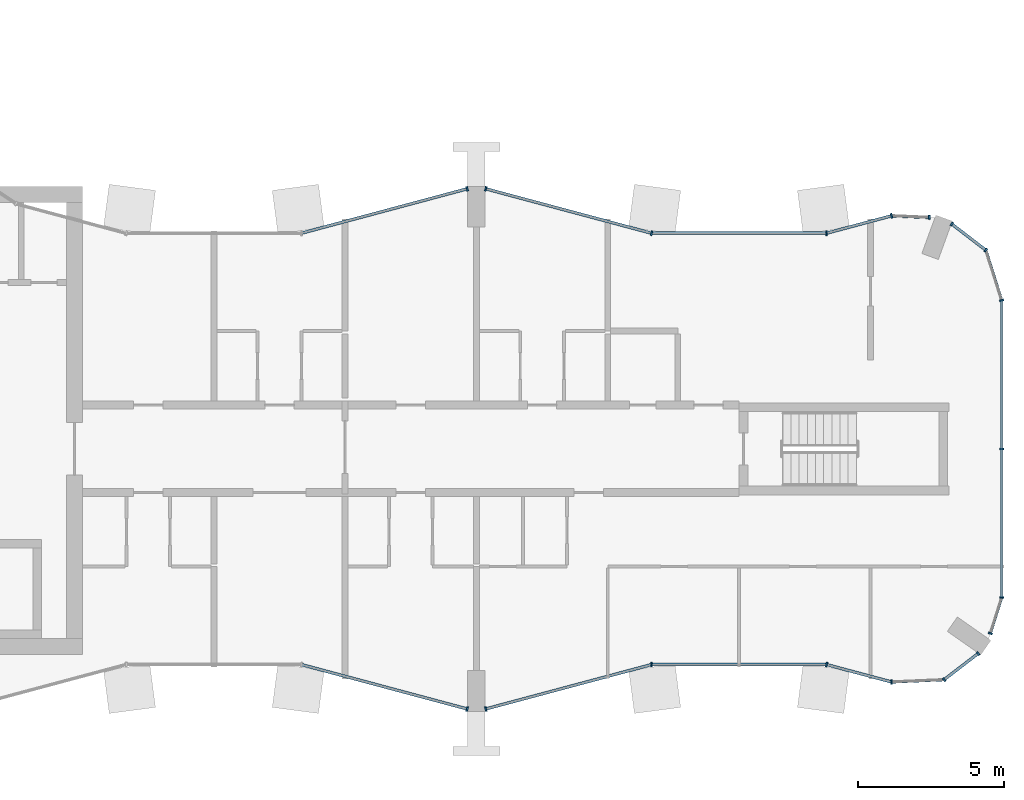
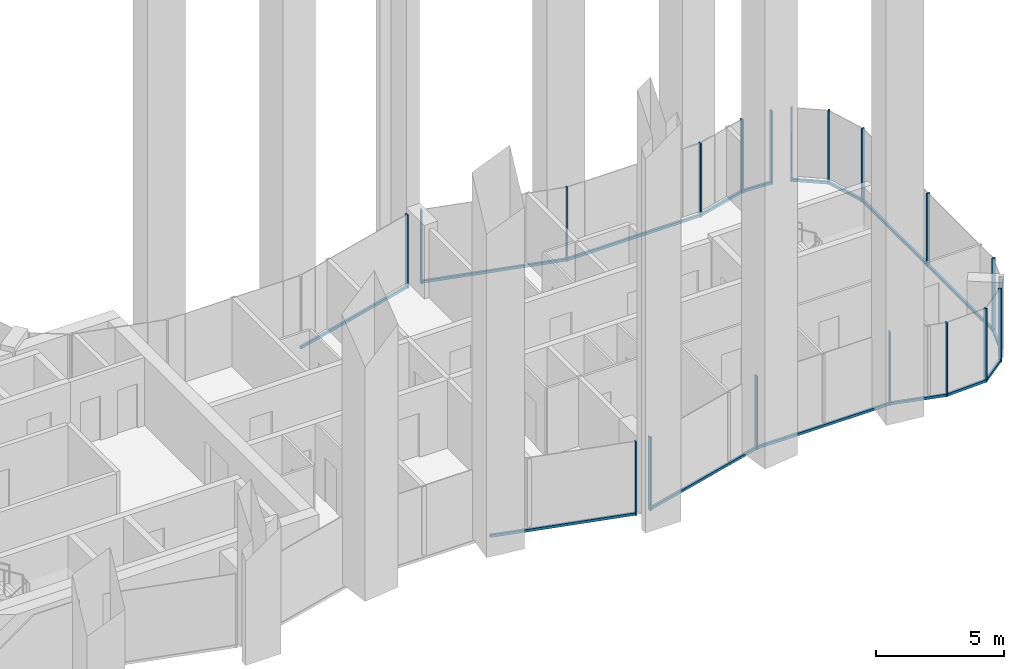
# One storey, part 6 of 17: 34 members, 15 elements without a shape of their own.
"""IFC4 building model written with IfcOpenShell, lengths in metres."""

from ifc_helpers import new_model, si_unit, direction, frame, origin, origin_2d, place, context, subcontext, project, spatial, rectangle, extrude, material, layer, layer_set, material_profile, profile_set, type_object, element, aggregate, save


model = new_model("IFC4")

# Units and contexts
model_context = context("Model", 3, precision=1e-05, world=origin(), true_north=direction((0.0, 1.0)))
body_context = subcontext(model_context, "Body", "Model", "MODEL_VIEW")
ifc_project = project(units=[si_unit("LENGTHUNIT", "METRE"), si_unit("AREAUNIT", "SQUARE_METRE"), si_unit("VOLUMEUNIT", "CUBIC_METRE"), si_unit("PLANEANGLEUNIT", "RADIAN"), si_unit("MASSUNIT", "GRAM", prefix="KILO")], contexts=[model_context])

# Site, building, storey
site_placement = place(None, origin())
site = spatial("IfcSite", under=ifc_project, at=site_placement, CompositionType="ELEMENT")
building_placement = place(site_placement, origin())
building = spatial("IfcBuilding", under=site, at=building_placement, Name="Plateau Cross Towers", CompositionType="ELEMENT")
storey_placement = place(building_placement, frame((0.0, 0.0, 190.89990234375)))
storey = spatial("IfcBuildingStorey", under=building, at=storey_placement, Name="L49", CompositionType="ELEMENT", Elevation=190.89990234375)

# Curtain wall, member
ifc_material_1 = material(Name="Dark low-iron glass", Category="glass")
ifc_layer_1 = layer(ifc_material_1, 0.239990234375)
ifc_layer_set_1 = layer_set([ifc_layer_1], Name="Dark low-iron glass")
curtain_wall_type_1 = type_object("IfcCurtainWallType", Name="Curtain wall flush unitised CW-B", PredefinedType="NOTDEFINED", material=ifc_layer_set_1)
curtain_wall_1_placement = place(storey_placement, origin())
curtain_wall_1 = element("IfcCurtainWall", 1, at=curtain_wall_1_placement, inside=storey, type_object=curtain_wall_type_1, Name="ENV/A/L49/A502_10", PredefinedType="NOTDEFINED")
ifc_material_2 = material(Name="Black anodised aluminium", Category="aluminium")
ifc_material_profile_1 = material_profile(ifc_material_2, rectangle(XDim=0.06005859375, YDim=0.139892578125, at=origin_2d()), Name="MULLION 60x140")
ifc_profile_set_1 = profile_set([ifc_material_profile_1], Name="Black anodised aluminium")
member_type_1 = type_object("IfcMemberType", Name="Mullion 60x140 flush unitised", PredefinedType="MULLION", material=ifc_profile_set_1)
member_1_placement = place(storey_placement, frame((50.223876953125, 1.01123046875, -0.25), z_axis=(0.0, 0.0, 1.0), x_axis=(0.999043701491, 0.043722791671, 0.0)))
member_1 = element("IfcMember", 2, at=member_1_placement, type_object=member_type_1, Name="CW-B mullion 1", PredefinedType="MULLION", context=body_context, shape_type="SweptSolid", body=[
    extrude(rectangle(XDim=0.06005859375, YDim=0.139892578125, at=origin_2d()), origin(), (0.0, 0.0, 1.0), 3.5),
])

# Curtain wall, members
curtain_wall_2_placement = place(storey_placement, origin())
curtain_wall_2 = element("IfcCurtainWall", 3, at=curtain_wall_2_placement, inside=storey, type_object=curtain_wall_type_1, Name="ENV/A/L49/A520_11", PredefinedType="NOTDEFINED")
member_2_placement = place(storey_placement, frame((52.0263671875, 1.090087890625, -0.25), z_axis=(0.0, 0.0, 1.0), x_axis=(0.793315514529, 0.608810721331, 0.0)))
member_2 = element("IfcMember", 4, at=member_2_placement, type_object=member_type_1, Name="CW-B mullion 1", PredefinedType="MULLION", context=body_context, shape_type="SweptSolid", body=[
    extrude(rectangle(XDim=0.06005859375, YDim=0.139892578125, at=origin_2d()), origin(), (0.0, 0.0, 1.0), 3.5),
])
member_3_placement = place(storey_placement, frame((53.193603515625, 1.986083984375, -0.25), z_axis=(0.0, 0.0, 1.0), x_axis=(0.793315514529, 0.608810721331, 0.0)))
member_3 = element("IfcMember", 5, at=member_3_placement, type_object=member_type_1, Name="CW-B mullion 2", PredefinedType="MULLION", context=body_context, shape_type="SweptSolid", body=[
    extrude(rectangle(XDim=0.06005859375, YDim=0.139892578125, at=origin_2d()), origin(), (0.0, 0.0, 1.0), 3.5),
])

# Curtain wall, member
curtain_wall_3_placement = place(storey_placement, origin())
curtain_wall_3 = element("IfcCurtainWall", 6, at=curtain_wall_3_placement, inside=storey, type_object=curtain_wall_type_1, Name="ENV/A/L49/A536_27", PredefinedType="NOTDEFINED")
member_4_placement = place(storey_placement, frame((53.611083984375, 2.67529296875, -0.25), z_axis=(0.0, 0.0, 1.0), x_axis=(0.300686174994, 0.95372313811, 0.0)))
member_4 = element("IfcMember", 7, at=member_4_placement, type_object=member_type_1, Name="CW-B mullion 1", PredefinedType="MULLION", context=body_context, shape_type="SweptSolid", body=[
    extrude(rectangle(XDim=0.06005859375, YDim=0.139892578125, at=origin_2d()), origin(), (0.0, 0.0, 1.0), 3.5),
])

# Curtain wall, members
curtain_wall_4_placement = place(storey_placement, origin())
curtain_wall_4 = element("IfcCurtainWall", 8, at=curtain_wall_4_placement, inside=storey, type_object=curtain_wall_type_1, Name="ENV/A/L49/A540_39", PredefinedType="NOTDEFINED")
member_5_placement = place(storey_placement, frame((54.0, 3.9091796875, -0.25), z_axis=(0.0, 0.0, 1.0), x_axis=(0.0, 1.0, 0.0)))
member_5 = element("IfcMember", 9, at=member_5_placement, type_object=member_type_1, Name="CW-B mullion 1", PredefinedType="MULLION", context=body_context, shape_type="SweptSolid", body=[
    extrude(rectangle(XDim=0.06005859375, YDim=0.139892578125, at=origin_2d()), origin(), (0.0, 0.0, 1.0), 3.5),
])
member_6_placement = place(storey_placement, frame((54.0, 9.0, -0.25), z_axis=(0.0, 0.0, 1.0), x_axis=(0.0, 1.0, 0.0)))
member_6 = element("IfcMember", 10, at=member_6_placement, type_object=member_type_1, Name="CW-B mullion 2", PredefinedType="MULLION", context=body_context, shape_type="SweptSolid", body=[
    extrude(rectangle(XDim=0.06005859375, YDim=0.139892578125, at=origin_2d()), origin(), (0.0, 0.0, 1.0), 3.5),
])

# Curtain wall, member
curtain_wall_5_placement = place(storey_placement, origin())
curtain_wall_5 = element("IfcCurtainWall", 11, at=curtain_wall_5_placement, inside=storey, type_object=curtain_wall_type_1, Name="ENV/A/L49/A540_141", PredefinedType="NOTDEFINED")
member_7_placement = place(storey_placement, frame((54.0, 14.0908203125, -0.25), z_axis=(0.0, 0.0, 1.0), x_axis=(-0.300686174994, 0.95372313811, 0.0)))
member_7 = element("IfcMember", 12, at=member_7_placement, type_object=member_type_1, Name="CW-B mullion 1", PredefinedType="MULLION", context=body_context, shape_type="SweptSolid", body=[
    extrude(rectangle(XDim=0.06005859375, YDim=0.139892578125, at=origin_2d()), origin(), (0.0, 0.0, 1.0), 3.5),
])

# Curtain wall, members
curtain_wall_6_placement = place(storey_placement, origin())
curtain_wall_6 = element("IfcCurtainWall", 13, at=curtain_wall_6_placement, inside=storey, type_object=curtain_wall_type_1, Name="ENV/A/L49/A535_158", PredefinedType="NOTDEFINED")
member_8_placement = place(storey_placement, frame((53.45751953125, 15.8115234375, -0.25), z_axis=(0.0, 0.0, 1.0), x_axis=(-0.793315514529, 0.608810721331, 0.0)))
member_8 = element("IfcMember", 14, at=member_8_placement, type_object=member_type_1, Name="CW-B mullion 1", PredefinedType="MULLION", context=body_context, shape_type="SweptSolid", body=[
    extrude(rectangle(XDim=0.06005859375, YDim=0.139892578125, at=origin_2d()), origin(), (0.0, 0.0, 1.0), 3.5),
])
member_9_placement = place(storey_placement, frame((52.290283203125, 16.707275390625, -0.25), z_axis=(0.0, 0.0, 1.0), x_axis=(-0.793315514529, 0.608810721331, 0.0)))
member_9 = element("IfcMember", 15, at=member_9_placement, type_object=member_type_1, Name="CW-B mullion 2", PredefinedType="MULLION", context=body_context, shape_type="SweptSolid", body=[
    extrude(rectangle(XDim=0.06005859375, YDim=0.139892578125, at=origin_2d()), origin(), (0.0, 0.0, 1.0), 3.5),
])

# Curtain wall, member
curtain_wall_7_placement = place(storey_placement, origin())
curtain_wall_7 = element("IfcCurtainWall", 16, at=curtain_wall_7_placement, inside=storey, type_object=curtain_wall_type_1, Name="ENV/A/L49/A515_169", PredefinedType="NOTDEFINED")
member_10_placement = place(storey_placement, frame((51.516357421875, 16.93212890625, -0.25), z_axis=(0.0, 0.0, 1.0), x_axis=(-0.999043701491, 0.043722791671, 0.0)))
member_10 = element("IfcMember", 17, at=member_10_placement, type_object=member_type_1, Name="CW-B mullion 1", PredefinedType="MULLION", context=body_context, shape_type="SweptSolid", body=[
    extrude(rectangle(XDim=0.06005859375, YDim=0.139892578125, at=origin_2d()), origin(), (0.0, 0.0, 1.0), 3.5),
])

ifc_layer_2 = layer(ifc_material_1, 0.260009765625)
ifc_layer_set_2 = layer_set([ifc_layer_2], Name="Dark low-iron glass")
curtain_wall_type_2 = type_object("IfcCurtainWallType", Name="Curtain wall fluted unitised CW-A", PredefinedType="NOTDEFINED", material=ifc_layer_set_2)
curtain_wall_8_placement = place(storey_placement, origin())
curtain_wall_8 = element("IfcCurtainWall", 18, at=curtain_wall_8_placement, inside=storey, type_object=curtain_wall_type_2, Name="ENV/A/L49/A300_16", PredefinedType="NOTDEFINED")
ifc_material_profile_2 = material_profile(ifc_material_2, rectangle(XDim=0.06005859375, YDim=0.159912109375, at=origin_2d()), Name="MULLION 60x160")
ifc_profile_set_2 = profile_set([ifc_material_profile_2], Name="Black anodised aluminium")
member_type_2 = type_object("IfcMemberType", Name="Mullion 60x160 fluted unitised", PredefinedType="MULLION", material=ifc_profile_set_2)
member_11_placement = place(storey_placement, frame((35.68212890625, 0.085205078125, -0.25), z_axis=(0.0, 0.0, 1.0), x_axis=(0.965957983404, -0.258699003279, 0.0)))
member_11 = element("IfcMember", 19, at=member_11_placement, type_object=member_type_2, Name="CW-A mullion 2", PredefinedType="MULLION", context=body_context, shape_type="SweptSolid", body=[
    extrude(rectangle(XDim=0.06005859375, YDim=0.159912109375, at=origin_2d()), origin(), (0.0, 0.0, 1.0), 3.5),
])

curtain_wall_9_placement = place(storey_placement, origin())
curtain_wall_9 = element("IfcCurtainWall", 20, at=curtain_wall_9_placement, inside=storey, type_object=curtain_wall_type_2, Name="ENV/A/L49/A363_1", PredefinedType="NOTDEFINED")
member_12_placement = place(storey_placement, frame((36.31787109375, 0.085205078125, -0.25), z_axis=(0.0, 0.0, 1.0), x_axis=(0.965957983404, 0.258699003279, 0.0)))
member_12 = element("IfcMember", 21, at=member_12_placement, type_object=member_type_2, Name="CW-A mullion 1", PredefinedType="MULLION", context=body_context, shape_type="SweptSolid", body=[
    extrude(rectangle(XDim=0.06005859375, YDim=0.159912109375, at=origin_2d()), origin(), (0.0, 0.0, 1.0), 3.5),
])

curtain_wall_10_placement = place(storey_placement, origin())
curtain_wall_10 = element("IfcCurtainWall", 22, at=curtain_wall_10_placement, inside=storey, type_object=curtain_wall_type_2, Name="ENV/A/L49/A420_16", PredefinedType="NOTDEFINED")
member_13_placement = place(storey_placement, frame((42.0, 1.60693359375, -0.25), z_axis=(0.0, 0.0, 1.0), x_axis=(1.0, 0.0, 0.0)))
member_13 = element("IfcMember", 23, at=member_13_placement, type_object=member_type_2, Name="CW-A mullion 1", PredefinedType="MULLION", context=body_context, shape_type="SweptSolid", body=[
    extrude(rectangle(XDim=0.06005859375, YDim=0.159912109375, at=origin_2d()), origin(), (0.0, 0.0, 1.0), 3.5),
])

curtain_wall_11_placement = place(storey_placement, origin())
curtain_wall_11 = element("IfcCurtainWall", 24, at=curtain_wall_11_placement, inside=storey, type_object=curtain_wall_type_2, Name="ENV/A/L49/A480_16", PredefinedType="NOTDEFINED")
member_14_placement = place(storey_placement, frame((48.0, 1.60693359375, -0.25), z_axis=(0.0, 0.0, 1.0), x_axis=(0.965957962328, -0.258699081978, 0.0)))
member_14 = element("IfcMember", 25, at=member_14_placement, type_object=member_type_2, Name="CW-A mullion 1", PredefinedType="MULLION", context=body_context, shape_type="SweptSolid", body=[
    extrude(rectangle(XDim=0.06005859375, YDim=0.159912109375, at=origin_2d()), origin(), (0.0, 0.0, 1.0), 3.5),
])

curtain_wall_12_placement = place(storey_placement, origin())
curtain_wall_12 = element("IfcCurtainWall", 26, at=curtain_wall_12_placement, inside=storey, type_object=curtain_wall_type_2, Name="ENV/A/L49/A502_170", PredefinedType="NOTDEFINED")
member_15_placement = place(storey_placement, frame((50.223876953125, 16.98876953125, -0.25), z_axis=(0.0, 0.0, 1.0), x_axis=(-0.965957962328, -0.258699081978, 0.0)))
member_15 = element("IfcMember", 27, at=member_15_placement, type_object=member_type_2, Name="CW-A mullion 1", PredefinedType="MULLION", context=body_context, shape_type="SweptSolid", body=[
    extrude(rectangle(XDim=0.06005859375, YDim=0.159912109375, at=origin_2d()), origin(), (0.0, 0.0, 1.0), 3.5),
])

curtain_wall_13_placement = place(storey_placement, origin())
curtain_wall_13 = element("IfcCurtainWall", 28, at=curtain_wall_13_placement, inside=storey, type_object=curtain_wall_type_2, Name="ENV/A/L49/A480_164", PredefinedType="NOTDEFINED")
member_16_placement = place(storey_placement, frame((48.0, 16.39306640625, -0.25), z_axis=(0.0, 0.0, 1.0), x_axis=(-1.0, 0.0, 0.0)))
member_16 = element("IfcMember", 29, at=member_16_placement, type_object=member_type_2, Name="CW-A mullion 1", PredefinedType="MULLION", context=body_context, shape_type="SweptSolid", body=[
    extrude(rectangle(XDim=0.06005859375, YDim=0.159912109375, at=origin_2d()), origin(), (0.0, 0.0, 1.0), 3.5),
])

# Curtain wall, members
curtain_wall_14_placement = place(storey_placement, origin())
curtain_wall_14 = element("IfcCurtainWall", 30, at=curtain_wall_14_placement, inside=storey, type_object=curtain_wall_type_2, Name="ENV/A/L49/A420_164", PredefinedType="NOTDEFINED")
member_17_placement = place(storey_placement, frame((42.0, 16.39306640625, -0.25), z_axis=(0.0, 0.0, 1.0), x_axis=(-0.965957983404, 0.258699003279, 0.0)))
member_17 = element("IfcMember", 31, at=member_17_placement, type_object=member_type_2, Name="CW-A mullion 1", PredefinedType="MULLION", context=body_context, shape_type="SweptSolid", body=[
    extrude(rectangle(XDim=0.06005859375, YDim=0.159912109375, at=origin_2d()), origin(), (0.0, 0.0, 1.0), 3.5),
])
member_18_placement = place(storey_placement, frame((36.31787109375, 17.914794921875, -0.25), z_axis=(0.0, 0.0, 1.0), x_axis=(-0.965957983404, 0.258699003279, 0.0)))
member_18 = element("IfcMember", 32, at=member_18_placement, type_object=member_type_2, Name="CW-A mullion 2", PredefinedType="MULLION", context=body_context, shape_type="SweptSolid", body=[
    extrude(rectangle(XDim=0.06005859375, YDim=0.159912109375, at=origin_2d()), origin(), (0.0, 0.0, 1.0), 3.5),
])

# Curtain wall, member
curtain_wall_15_placement = place(storey_placement, origin())
curtain_wall_15 = element("IfcCurtainWall", 33, at=curtain_wall_15_placement, inside=storey, type_object=curtain_wall_type_2, Name="ENV/A/L49/A357_179", PredefinedType="NOTDEFINED")
member_19_placement = place(storey_placement, frame((35.68212890625, 17.914794921875, -0.25), z_axis=(0.0, 0.0, 1.0), x_axis=(-0.965957983404, -0.258699003279, 0.0)))
member_19 = element("IfcMember", 34, at=member_19_placement, type_object=member_type_2, Name="CW-A mullion 1", PredefinedType="MULLION", context=body_context, shape_type="SweptSolid", body=[
    extrude(rectangle(XDim=0.06005859375, YDim=0.159912109375, at=origin_2d()), origin(), (0.0, 0.0, 1.0), 3.5),
])

# Member
ifc_material_profile_3 = material_profile(ifc_material_2, rectangle(XDim=0.10009765625, YDim=0.1201171875, at=origin_2d()), Name="TRANSOM 100x120")
ifc_profile_set_3 = profile_set([ifc_material_profile_3], Name="Black anodised aluminium")
member_type_3 = type_object("IfcMemberType", Name="Transom 100x120 flush unitised", PredefinedType="USERDEFINED", material=ifc_profile_set_3)
member_20_placement = place(storey_placement, frame((50.223876953125, 1.01123046875, -0.18994140625), z_axis=(0.999044377355, 0.043707345779, 0.0), x_axis=(-0.043707345779, 0.999044377355, 0.0)))
member_20 = element("IfcMember", 35, at=member_20_placement, type_object=member_type_3, Name="CW-B transom", ObjectType="TRANSOM", PredefinedType="USERDEFINED", context=body_context, shape_type="SweptSolid", body=[
    extrude(rectangle(XDim=0.10009765625, YDim=0.1201171875, at=origin_2d()), origin(), (0.0, 0.0, 1.0), 1.80419921875),
])

aggregate(curtain_wall_1, [member_1, member_20])

member_21_placement = place(storey_placement, frame((52.0263671875, 1.090087890625, -0.18994140625), z_axis=(0.793240368515, 0.608908628415, 0.0), x_axis=(-0.608908628415, 0.793240368515, 0.0)))
member_21 = element("IfcMember", 36, at=member_21_placement, type_object=member_type_3, Name="CW-B transom", ObjectType="TRANSOM", PredefinedType="USERDEFINED", context=body_context, shape_type="SweptSolid", body=[
    extrude(rectangle(XDim=0.10009765625, YDim=0.1201171875, at=origin_2d()), origin(), (0.0, 0.0, 1.0), 1.471435546875),
])

aggregate(curtain_wall_2, [member_2, member_3, member_21])

member_22_placement = place(storey_placement, frame((53.611083984375, 2.67529296875, -0.18994140625), z_axis=(0.300616528216, 0.953745093284, 0.0), x_axis=(-0.953745093284, 0.300616528216, 0.0)))
member_22 = element("IfcMember", 37, at=member_22_placement, type_object=member_type_3, Name="CW-B transom", ObjectType="TRANSOM", PredefinedType="USERDEFINED", context=body_context, shape_type="SweptSolid", body=[
    extrude(rectangle(XDim=0.10009765625, YDim=0.1201171875, at=origin_2d()), origin(), (0.0, 0.0, 1.0), 1.293701171875),
])

aggregate(curtain_wall_3, [member_4, member_22])

member_23_placement = place(storey_placement, frame((54.0, 3.9091796875, -0.18994140625), z_axis=(0.0, 1.0, 0.0), x_axis=(-1.0, 0.0, 0.0)))
member_23 = element("IfcMember", 38, at=member_23_placement, type_object=member_type_3, Name="CW-B transom", ObjectType="TRANSOM", PredefinedType="USERDEFINED", context=body_context, shape_type="SweptSolid", body=[
    extrude(rectangle(XDim=0.10009765625, YDim=0.1201171875, at=origin_2d()), origin(), (0.0, 0.0, 1.0), 10.181640625),
])

aggregate(curtain_wall_4, [member_5, member_6, member_23])

member_24_placement = place(storey_placement, frame((54.0, 14.0908203125, -0.18994140625), z_axis=(-0.30067799945, 0.953725715626, 0.0), x_axis=(-0.953725715626, -0.30067799945, 0.0)))
member_24 = element("IfcMember", 39, at=member_24_placement, type_object=member_type_3, Name="CW-B transom", ObjectType="TRANSOM", PredefinedType="USERDEFINED", context=body_context, shape_type="SweptSolid", body=[
    extrude(rectangle(XDim=0.10009765625, YDim=0.1201171875, at=origin_2d()), origin(), (0.0, 0.0, 1.0), 1.80419921875),
])

aggregate(curtain_wall_5, [member_7, member_24])

member_25_placement = place(storey_placement, frame((53.45751953125, 15.8115234375, -0.18994140625), z_axis=(-0.793320508571, 0.608804213751, 0.0), x_axis=(-0.608804213751, -0.793320508571, 0.0)))
member_25 = element("IfcMember", 40, at=member_25_placement, type_object=member_type_3, Name="CW-B transom", ObjectType="TRANSOM", PredefinedType="USERDEFINED", context=body_context, shape_type="SweptSolid", body=[
    extrude(rectangle(XDim=0.10009765625, YDim=0.1201171875, at=origin_2d()), origin(), (0.0, 0.0, 1.0), 1.471435546875),
])

aggregate(curtain_wall_6, [member_8, member_9, member_25])

member_26_placement = place(storey_placement, frame((51.516357421875, 16.93212890625, -0.18994140625), z_axis=(-0.999041144614, 0.043781175963, 0.0), x_axis=(-0.043781175963, -0.999041144614, 0.0)))
member_26 = element("IfcMember", 41, at=member_26_placement, type_object=member_type_3, Name="CW-B transom", ObjectType="TRANSOM", PredefinedType="USERDEFINED", context=body_context, shape_type="SweptSolid", body=[
    extrude(rectangle(XDim=0.10009765625, YDim=0.1201171875, at=origin_2d()), origin(), (0.0, 0.0, 1.0), 1.293701171875),
])

aggregate(curtain_wall_7, [member_10, member_26])

ifc_material_profile_4 = material_profile(ifc_material_2, rectangle(XDim=0.10009765625, YDim=0.1201171875, at=origin_2d()), Name="TRANSOM 100x120")
ifc_profile_set_4 = profile_set([ifc_material_profile_4], Name="Black anodised aluminium")
member_type_4 = type_object("IfcMemberType", Name="Transom 100x120 fluted unitised", PredefinedType="USERDEFINED", material=ifc_profile_set_4)
member_27_placement = place(storey_placement, frame((30.0, 1.60693359375, -0.18994140625), z_axis=(0.965959534794, -0.258693210465, 0.0), x_axis=(0.258693210465, 0.965959534794, 0.0)))
member_27 = element("IfcMember", 42, at=member_27_placement, type_object=member_type_4, Name="CW-A transom", ObjectType="TRANSOM", PredefinedType="USERDEFINED", context=body_context, shape_type="SweptSolid", body=[
    extrude(rectangle(XDim=0.10009765625, YDim=0.1201171875, at=origin_2d()), origin(), (0.0, 0.0, 1.0), 5.88232421875),
])

aggregate(curtain_wall_8, [member_11, member_27])

member_28_placement = place(storey_placement, frame((36.31787109375, 0.085205078125, -0.18994140625), z_axis=(0.965959534794, 0.258693210465, 0.0), x_axis=(-0.258693210465, 0.965959534794, 0.0)))
member_28 = element("IfcMember", 43, at=member_28_placement, type_object=member_type_4, Name="CW-A transom", ObjectType="TRANSOM", PredefinedType="USERDEFINED", context=body_context, shape_type="SweptSolid", body=[
    extrude(rectangle(XDim=0.10009765625, YDim=0.1201171875, at=origin_2d()), origin(), (0.0, 0.0, 1.0), 5.88232421875),
])

aggregate(curtain_wall_9, [member_12, member_28])

member_29_placement = place(storey_placement, frame((42.0, 1.60693359375, -0.18994140625), z_axis=(1.0, 0.0, 0.0), x_axis=(0.0, 1.0, 0.0)))
member_29 = element("IfcMember", 44, at=member_29_placement, type_object=member_type_4, Name="CW-A transom", ObjectType="TRANSOM", PredefinedType="USERDEFINED", context=body_context, shape_type="SweptSolid", body=[
    extrude(rectangle(XDim=0.10009765625, YDim=0.1201171875, at=origin_2d()), origin(), (0.0, 0.0, 1.0), 6.0),
])

aggregate(curtain_wall_10, [member_13, member_29])

member_30_placement = place(storey_placement, frame((48.0, 1.60693359375, -0.18994140625), z_axis=(0.965945685136, -0.258744919501, 0.0), x_axis=(0.258744919501, 0.965945685136, 0.0)))
member_30 = element("IfcMember", 45, at=member_30_placement, type_object=member_type_4, Name="CW-A transom", ObjectType="TRANSOM", PredefinedType="USERDEFINED", context=body_context, shape_type="SweptSolid", body=[
    extrude(rectangle(XDim=0.10009765625, YDim=0.1201171875, at=origin_2d()), origin(), (0.0, 0.0, 1.0), 2.30224609375),
])

aggregate(curtain_wall_11, [member_14, member_30])

member_31_placement = place(storey_placement, frame((50.223876953125, 16.98876953125, -0.18994140625), z_axis=(-0.965945685136, -0.258744919501, 0.0), x_axis=(0.258744919501, -0.965945685136, 0.0)))
member_31 = element("IfcMember", 46, at=member_31_placement, type_object=member_type_4, Name="CW-A transom", ObjectType="TRANSOM", PredefinedType="USERDEFINED", context=body_context, shape_type="SweptSolid", body=[
    extrude(rectangle(XDim=0.10009765625, YDim=0.1201171875, at=origin_2d()), origin(), (0.0, 0.0, 1.0), 2.30224609375),
])

aggregate(curtain_wall_12, [member_15, member_31])

member_32_placement = place(storey_placement, frame((48.0, 16.39306640625, -0.18994140625), z_axis=(-1.0, 0.0, 0.0), x_axis=(0.0, -1.0, 0.0)))
member_32 = element("IfcMember", 47, at=member_32_placement, type_object=member_type_4, Name="CW-A transom", ObjectType="TRANSOM", PredefinedType="USERDEFINED", context=body_context, shape_type="SweptSolid", body=[
    extrude(rectangle(XDim=0.10009765625, YDim=0.1201171875, at=origin_2d()), origin(), (0.0, 0.0, 1.0), 6.0),
])

aggregate(curtain_wall_13, [member_16, member_32])

member_33_placement = place(storey_placement, frame((42.0, 16.39306640625, -0.18994140625), z_axis=(-0.965959534794, 0.258693210465, 0.0), x_axis=(-0.258693210465, -0.965959534794, 0.0)))
member_33 = element("IfcMember", 48, at=member_33_placement, type_object=member_type_4, Name="CW-A transom", ObjectType="TRANSOM", PredefinedType="USERDEFINED", context=body_context, shape_type="SweptSolid", body=[
    extrude(rectangle(XDim=0.10009765625, YDim=0.1201171875, at=origin_2d()), origin(), (0.0, 0.0, 1.0), 5.88232421875),
])

aggregate(curtain_wall_14, [member_17, member_18, member_33])

member_34_placement = place(storey_placement, frame((35.68212890625, 17.914794921875, -0.18994140625), z_axis=(-0.965959534794, -0.258693210465, 0.0), x_axis=(0.258693210465, -0.965959534794, 0.0)))
member_34 = element("IfcMember", 49, at=member_34_placement, type_object=member_type_4, Name="CW-A transom", ObjectType="TRANSOM", PredefinedType="USERDEFINED", context=body_context, shape_type="SweptSolid", body=[
    extrude(rectangle(XDim=0.10009765625, YDim=0.1201171875, at=origin_2d()), origin(), (0.0, 0.0, 1.0), 5.88232421875),
])

aggregate(curtain_wall_15, [member_19, member_34])

save(model, "model.ifc")
